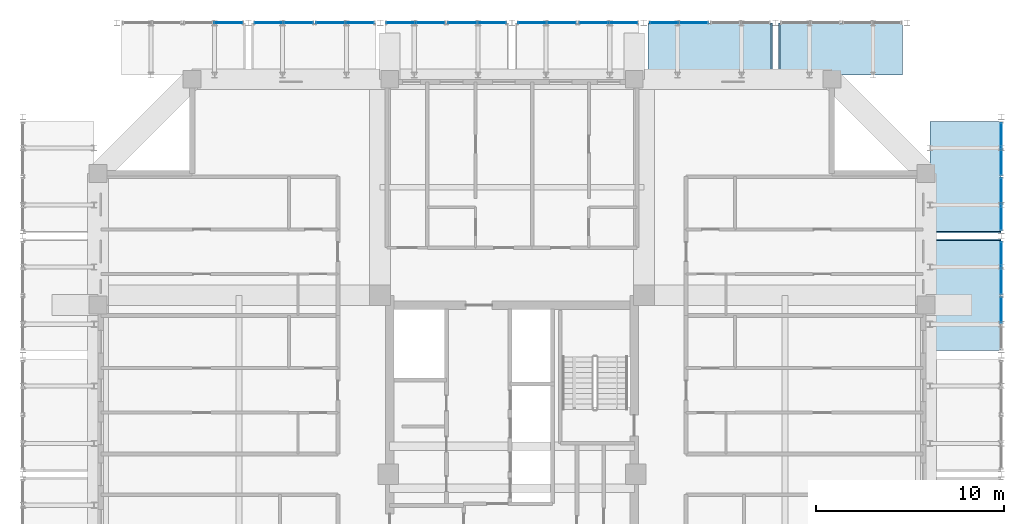
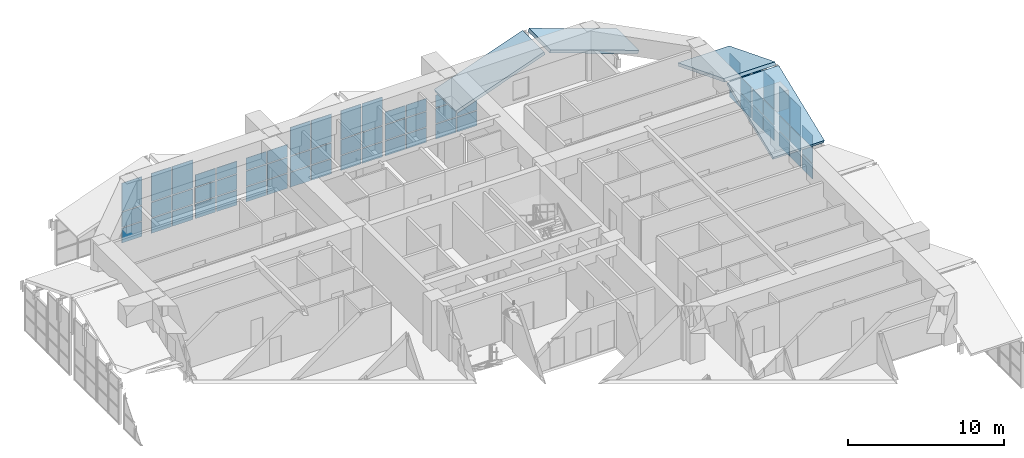
# One storey, part 35 of 45: 65 plates, 4 slabs, 12 elements without a shape of their own.
"""IFC4 building model written with IfcOpenShell, lengths in metres."""

from ifc_helpers import new_model, si_unit, direction, frame, origin, origin_2d, place, context, subcontext, project, spatial, polyline, rectangle, outline, extrude, source, transform, mapped, material, layer, layer_set, type_object, element, aggregate, save


model = new_model("IFC4")

# Units and contexts
model_context = context("Model", 3, precision=1e-05, world=origin(), true_north=direction((0.0, 1.0)))
body_context = subcontext(model_context, "Body", "Model", "MODEL_VIEW")
ifc_project = project(units=[si_unit("LENGTHUNIT", "METRE"), si_unit("AREAUNIT", "SQUARE_METRE"), si_unit("VOLUMEUNIT", "CUBIC_METRE"), si_unit("PLANEANGLEUNIT", "RADIAN"), si_unit("MASSUNIT", "GRAM", prefix="KILO")], contexts=[model_context])

# Site, building, storey
site_placement = place(None, origin())
site = spatial("IfcSite", under=ifc_project, at=site_placement, CompositionType="ELEMENT")
building_placement = place(site_placement, origin())
building = spatial("IfcBuilding", under=site, at=building_placement, Name="Saelheon Loggia Tower", CompositionType="ELEMENT")
storey_placement = place(building_placement, frame((0.0, 0.0, 152.199951171875)))
storey = spatial("IfcBuildingStorey", under=building, at=storey_placement, Name="L48", CompositionType="ELEMENT", Elevation=152.199951171875)

# Slabs
ifc_material_1 = material(Name="Precast Concrete C45/55", Category="concrete")
ifc_layer_1 = layer(ifc_material_1, 0.239990234375)
ifc_layer_set_1 = layer_set([ifc_layer_1], Name="Precast Concrete C45/55")
slab_type = type_object("IfcSlabType", Name="Slab_WaveRoof_240", PredefinedType="ROOF", material=ifc_layer_set_1)
slab_1_placement = place(storey_placement, frame((60.219970703125, 33.5732421875, 0.544677734375), z_axis=(0.0, -0.36719303315, 0.930144760995), x_axis=(1.0, 0.0, 0.0)))
element("IfcSlab", 1, at=slab_1_placement, inside=storey, type_object=slab_type, Name="Tier 1 Wave Crest Roof Facet E 05", PredefinedType="ROOF", context=body_context, shape_type="SweptSolid", body=[
    extrude(outline(polyline([(0.0, 0.0), (3.780029296875, 0.0), (3.780029296875, 6.293123253998158), (0.0, 6.293123253998158), (0.0, 0.0)])), origin(), (0.0, 0.0, -1.0), 0.239990234375),
])
slab_2_placement = place(storey_placement, frame((60.219970703125, 39.90673828125, 2.85546875), z_axis=(0.0, 0.36720628368, 0.930139529977), x_axis=(1.0, 0.0, 0.0)))
element("IfcSlab", 2, at=slab_2_placement, inside=storey, type_object=slab_type, Name="Tier 1 Wave Crest Roof Facet E 06", PredefinedType="ROOF", context=body_context, shape_type="SweptSolid", body=[
    extrude(outline(polyline([(0.0, 0.0), (3.780029296875, 0.0), (3.780029296875, 6.292896168513408), (0.0, 6.292896168513408), (0.0, 0.0)])), origin(), (0.0, 0.0, -1.0), 0.239990234375),
])
for number, where, z_axis, x_axis, name in (
    (3, (45.239990234375, 48.219970703125, 0.53564453125), (-0.336340864736, 0.0, 0.941740315962), (0.0, 1.0, 0.0), "Tier 1 Wave Crest Roof Facet N 05"),
    (4, (52.239990234375, 48.219970703125, 2.8642578125), (0.336340864736, 0.0, 0.941740315962), (0.0, 1.0, 0.0), "Tier 1 Wave Crest Roof Facet N 06"),
):
    element("IfcSlab", number, at=place(storey_placement, frame(where, z_axis=z_axis, x_axis=x_axis)), inside=storey, type_object=slab_type, Name=name, PredefinedType="ROOF", context=body_context, shape_type="SweptSolid", body=[
        extrude(outline(polyline([(0.0, 0.0), (2.780029296875, 0.0), (2.780029296875, -6.923373058090642), (0.0, -6.923373058090642), (0.0, 0.0)])), origin(), (0.0, 0.0, -1.0), 0.239990234375),
    ])

# Curtain wall, plate
ifc_material_2 = material(Name="Bronze-Anodised Aluminium and Fritted Ceramic Screen", Category="aluminium")
ifc_layer_2 = layer(ifc_material_2, 0.219970703125)
ifc_layer_set_2 = layer_set([ifc_layer_2], Name="Bronze-Anodised Aluminium and Fritted Ceramic Screen")
curtain_wall_type = type_object("IfcCurtainWallType", Name="CW_CrownScreen", PredefinedType="NOTDEFINED", material=ifc_layer_set_2)
curtain_wall_1_placement = place(storey_placement, origin())
curtain_wall_1 = element("IfcCurtainWall", 5, at=curtain_wall_1_placement, inside=storey, type_object=curtain_wall_type, Name="Tier 1 Wave Crest Glazing E 05-1", PredefinedType="NOTDEFINED")
ifc_material_3 = material(Name="Bronze Ceramic Fritted Spandrel Panel", Category="aluminium")
ifc_layer_3 = layer(ifc_material_3, 0.0380859375)
ifc_layer_set_3 = layer_set([ifc_layer_3], Name="Bronze Ceramic Fritted Spandrel Panel")
plate_type = type_object("IfcPlateType", Name="CW_CrownScreen_Panel", PredefinedType="CURTAIN_PANEL", material=ifc_layer_set_3)
shared_shape_1 = source(origin(), body_context, "Body", "SweptSolid", [
    extrude(rectangle(XDim=1.328369140625, YDim=0.0380859375, at=origin_2d()), origin(), (0.0, 0.0, 1.0), 1.14501953125),
])
plate_1_placement = place(storey_placement, frame((64.0, 35.73583984375, -3.3798828125), z_axis=(0.0, 0.0, 1.0), x_axis=(0.0, 1.0, 0.0)))
plate_1 = element("IfcPlate", 6, at=plate_1_placement, type_object=plate_type, Name="CW6 panel 2.1", PredefinedType="CURTAIN_PANEL", context=body_context, shape_type="MappedRepresentation", body=[
    mapped(shared_shape_1, transform((0.0, 0.0, 0.0), scale=1.0)),
])

# Curtain wall, plates
curtain_wall_2_placement = place(storey_placement, origin())
curtain_wall_2 = element("IfcCurtainWall", 7, at=curtain_wall_2_placement, inside=storey, type_object=curtain_wall_type, Name="Tier 1 Wave Crest Glazing E 05-2", PredefinedType="NOTDEFINED")
plate_2_placement = place(storey_placement, frame((64.0, 37.26416015625, -3.3798828125), z_axis=(0.0, 0.0, 1.0), x_axis=(0.0, 1.0, 0.0)))
plate_2 = element("IfcPlate", 8, at=plate_2_placement, type_object=plate_type, Name="CW6 panel 1.1", PredefinedType="CURTAIN_PANEL", context=body_context, shape_type="MappedRepresentation", body=[
    mapped(shared_shape_1, transform((0.0, 0.0, 0.0), scale=1.0)),
])
plate_3_placement = place(storey_placement, frame((64.0, 38.66259765625, -3.3798828125), z_axis=(0.0, 0.0, 1.0), x_axis=(0.0, 1.0, 0.0)))
plate_3 = element("IfcPlate", 9, at=plate_3_placement, type_object=plate_type, Name="CW6 panel 2.1", PredefinedType="CURTAIN_PANEL", context=body_context, shape_type="MappedRepresentation", body=[
    mapped(shared_shape_1, transform((0.0, 0.0, 0.0), scale=1.0)),
])

curtain_wall_3_placement = place(storey_placement, origin())
curtain_wall_3 = element("IfcCurtainWall", 10, at=curtain_wall_3_placement, inside=storey, type_object=curtain_wall_type, Name="Tier 1 Wave Crest Glazing E 06-1", PredefinedType="NOTDEFINED")
plate_4_placement = place(storey_placement, frame((64.0, 40.6708984375, -3.3798828125), z_axis=(0.0, 0.0, 1.0), x_axis=(0.0, 1.0, 0.0)))
plate_4 = element("IfcPlate", 11, at=plate_4_placement, type_object=plate_type, Name="CW6 panel 1.1", PredefinedType="CURTAIN_PANEL", context=body_context, shape_type="MappedRepresentation", body=[
    mapped(shared_shape_1, transform((0.0, 0.0, 0.0), scale=1.0)),
])
plate_5_placement = place(storey_placement, frame((64.0, 42.069091796875, -3.3798828125), z_axis=(0.0, 0.0, 1.0), x_axis=(0.0, 1.0, 0.0)))
plate_5 = element("IfcPlate", 12, at=plate_5_placement, type_object=plate_type, Name="CW6 panel 2.1", PredefinedType="CURTAIN_PANEL", context=body_context, shape_type="MappedRepresentation", body=[
    mapped(shared_shape_1, transform((0.0, 0.0, 0.0), scale=1.0)),
])

curtain_wall_4_placement = place(storey_placement, origin())
curtain_wall_4 = element("IfcCurtainWall", 13, at=curtain_wall_4_placement, inside=storey, type_object=curtain_wall_type, Name="Tier 1 Wave Crest Glazing E 06-2", PredefinedType="NOTDEFINED")
plate_6_placement = place(storey_placement, frame((64.0, 43.597412109375, -3.3798828125), z_axis=(0.0, 0.0, 1.0), x_axis=(0.0, 1.0, 0.0)))
plate_6 = element("IfcPlate", 14, at=plate_6_placement, type_object=plate_type, Name="CW6 panel 1.1", PredefinedType="CURTAIN_PANEL", context=body_context, shape_type="MappedRepresentation", body=[
    mapped(shared_shape_1, transform((0.0, 0.0, 0.0), scale=1.0)),
])
plate_7_placement = place(storey_placement, frame((64.0, 44.995849609375, -3.3798828125), z_axis=(0.0, 0.0, 1.0), x_axis=(0.0, 1.0, 0.0)))
plate_7 = element("IfcPlate", 15, at=plate_7_placement, type_object=plate_type, Name="CW6 panel 2.1", PredefinedType="CURTAIN_PANEL", context=body_context, shape_type="MappedRepresentation", body=[
    mapped(shared_shape_1, transform((0.0, 0.0, 0.0), scale=1.0)),
])

# Plate
shared_shape_2 = source(origin(), body_context, "Body", "SweptSolid", [
    extrude(rectangle(XDim=1.328369140625, YDim=0.0380859375, at=origin_2d()), origin(), (0.0, 0.0, 1.0), 1.179931640625),
])
plate_8_placement = place(storey_placement, frame((64.0, 35.73583984375, -2.1650390625), z_axis=(0.0, 0.0, 1.0), x_axis=(0.0, 1.0, 0.0)))
plate_8 = element("IfcPlate", 16, at=plate_8_placement, type_object=plate_type, Name="CW6 panel 2.2", PredefinedType="CURTAIN_PANEL", context=body_context, shape_type="MappedRepresentation", body=[
    mapped(shared_shape_2, transform((0.0, 0.0, 0.0), scale=1.0)),
])

plate_9_placement = place(storey_placement, frame((64.0, 37.26416015625, -2.1650390625), z_axis=(0.0, 0.0, 1.0), x_axis=(0.0, 1.0, 0.0)))
plate_9 = element("IfcPlate", 17, at=plate_9_placement, type_object=plate_type, Name="CW6 panel 1.2", PredefinedType="CURTAIN_PANEL", context=body_context, shape_type="MappedRepresentation", body=[
    mapped(shared_shape_2, transform((0.0, 0.0, 0.0), scale=1.0)),
])

plate_10_placement = place(storey_placement, frame((64.0, 38.66259765625, -2.1650390625), z_axis=(0.0, 0.0, 1.0), x_axis=(0.0, 1.0, 0.0)))
plate_10 = element("IfcPlate", 18, at=plate_10_placement, type_object=plate_type, Name="CW6 panel 2.2", PredefinedType="CURTAIN_PANEL", context=body_context, shape_type="MappedRepresentation", body=[
    mapped(shared_shape_2, transform((0.0, 0.0, 0.0), scale=1.0)),
])

plate_11_placement = place(storey_placement, frame((64.0, 40.6708984375, -2.1650390625), z_axis=(0.0, 0.0, 1.0), x_axis=(0.0, 1.0, 0.0)))
plate_11 = element("IfcPlate", 19, at=plate_11_placement, type_object=plate_type, Name="CW6 panel 1.2", PredefinedType="CURTAIN_PANEL", context=body_context, shape_type="MappedRepresentation", body=[
    mapped(shared_shape_2, transform((0.0, 0.0, 0.0), scale=1.0)),
])

plate_12_placement = place(storey_placement, frame((64.0, 42.069091796875, -2.1650390625), z_axis=(0.0, 0.0, 1.0), x_axis=(0.0, 1.0, 0.0)))
plate_12 = element("IfcPlate", 20, at=plate_12_placement, type_object=plate_type, Name="CW6 panel 2.2", PredefinedType="CURTAIN_PANEL", context=body_context, shape_type="MappedRepresentation", body=[
    mapped(shared_shape_2, transform((0.0, 0.0, 0.0), scale=1.0)),
])

plate_13_placement = place(storey_placement, frame((64.0, 43.597412109375, -2.1650390625), z_axis=(0.0, 0.0, 1.0), x_axis=(0.0, 1.0, 0.0)))
plate_13 = element("IfcPlate", 21, at=plate_13_placement, type_object=plate_type, Name="CW6 panel 1.2", PredefinedType="CURTAIN_PANEL", context=body_context, shape_type="MappedRepresentation", body=[
    mapped(shared_shape_2, transform((0.0, 0.0, 0.0), scale=1.0)),
])

plate_14_placement = place(storey_placement, frame((64.0, 44.995849609375, -2.1650390625), z_axis=(0.0, 0.0, 1.0), x_axis=(0.0, 1.0, 0.0)))
plate_14 = element("IfcPlate", 22, at=plate_14_placement, type_object=plate_type, Name="CW6 panel 2.2", PredefinedType="CURTAIN_PANEL", context=body_context, shape_type="MappedRepresentation", body=[
    mapped(shared_shape_2, transform((0.0, 0.0, 0.0), scale=1.0)),
])

shared_shape_3 = source(origin(), body_context, "Body", "SweptSolid", [
    extrude(rectangle(XDim=1.328369140625, YDim=0.0380859375, at=origin_2d()), origin(), (0.0, 0.0, 1.0), 0.955078125),
])
plate_15_placement = place(storey_placement, frame((64.0, 35.73583984375, -0.9150390625), z_axis=(0.0, 0.0, 1.0), x_axis=(0.0, 1.0, 0.0)))
plate_15 = element("IfcPlate", 23, at=plate_15_placement, type_object=plate_type, Name="CW6 panel 2.3", PredefinedType="CURTAIN_PANEL", context=body_context, shape_type="MappedRepresentation", body=[
    mapped(shared_shape_3, transform((0.0, 0.0, 0.0), scale=1.0)),
])

aggregate(curtain_wall_1, [plate_1, plate_8, plate_15])

plate_16_placement = place(storey_placement, frame((64.0, 43.597412109375, -0.9150390625), z_axis=(0.0, 0.0, 1.0), x_axis=(0.0, 1.0, 0.0)))
plate_16 = element("IfcPlate", 24, at=plate_16_placement, type_object=plate_type, Name="CW6 panel 1.3", PredefinedType="CURTAIN_PANEL", context=body_context, shape_type="MappedRepresentation", body=[
    mapped(shared_shape_3, transform((0.0, 0.0, 0.0), scale=1.0)),
])

plate_17_placement = place(storey_placement, frame((64.0, 44.995849609375, -0.9150390625), z_axis=(0.0, 0.0, 1.0), x_axis=(0.0, 1.0, 0.0)))
plate_17 = element("IfcPlate", 25, at=plate_17_placement, type_object=plate_type, Name="CW6 panel 2.3", PredefinedType="CURTAIN_PANEL", context=body_context, shape_type="MappedRepresentation", body=[
    mapped(shared_shape_3, transform((0.0, 0.0, 0.0), scale=1.0)),
])

aggregate(curtain_wall_4, [plate_6, plate_13, plate_16, plate_7, plate_14, plate_17])

shared_shape_4 = source(origin(), body_context, "Body", "SweptSolid", [
    extrude(rectangle(XDim=1.328369140625, YDim=0.0380859375, at=origin_2d()), origin(), (0.0, 0.0, 1.0), 2.205078125),
])
plate_18_placement = place(storey_placement, frame((64.0, 37.26416015625, -0.9150390625), z_axis=(0.0, 0.0, 1.0), x_axis=(0.0, 1.0, 0.0)))
plate_18 = element("IfcPlate", 26, at=plate_18_placement, type_object=plate_type, Name="CW6 panel 1.3", PredefinedType="CURTAIN_PANEL", context=body_context, shape_type="MappedRepresentation", body=[
    mapped(shared_shape_4, transform((0.0, 0.0, 0.0), scale=1.0)),
])

plate_19_placement = place(storey_placement, frame((64.0, 38.66259765625, -0.9150390625), z_axis=(0.0, 0.0, 1.0), x_axis=(0.0, 1.0, 0.0)))
plate_19 = element("IfcPlate", 27, at=plate_19_placement, type_object=plate_type, Name="CW6 panel 2.3", PredefinedType="CURTAIN_PANEL", context=body_context, shape_type="MappedRepresentation", body=[
    mapped(shared_shape_4, transform((0.0, 0.0, 0.0), scale=1.0)),
])

aggregate(curtain_wall_2, [plate_2, plate_9, plate_18, plate_3, plate_10, plate_19])

plate_20_placement = place(storey_placement, frame((64.0, 40.6708984375, -0.9150390625), z_axis=(0.0, 0.0, 1.0), x_axis=(0.0, 1.0, 0.0)))
plate_20 = element("IfcPlate", 28, at=plate_20_placement, type_object=plate_type, Name="CW6 panel 1.3", PredefinedType="CURTAIN_PANEL", context=body_context, shape_type="MappedRepresentation", body=[
    mapped(shared_shape_4, transform((0.0, 0.0, 0.0), scale=1.0)),
])

plate_21_placement = place(storey_placement, frame((64.0, 42.069091796875, -0.9150390625), z_axis=(0.0, 0.0, 1.0), x_axis=(0.0, 1.0, 0.0)))
plate_21 = element("IfcPlate", 29, at=plate_21_placement, type_object=plate_type, Name="CW6 panel 2.3", PredefinedType="CURTAIN_PANEL", context=body_context, shape_type="MappedRepresentation", body=[
    mapped(shared_shape_4, transform((0.0, 0.0, 0.0), scale=1.0)),
])

aggregate(curtain_wall_3, [plate_4, plate_11, plate_20, plate_5, plate_12, plate_21])

# Curtain wall, plate
curtain_wall_5_placement = place(storey_placement, origin())
curtain_wall_5 = element("IfcCurtainWall", 30, at=curtain_wall_5_placement, inside=storey, type_object=curtain_wall_type, Name="Tier 1 Wave Crest Glazing N 01-2", PredefinedType="NOTDEFINED")
shared_shape_5 = source(origin(), body_context, "Body", "SweptSolid", [
    extrude(rectangle(XDim=1.4951171875, YDim=0.0380859375, at=origin_2d()), origin(), (0.0, 0.0, 1.0), 1.14501953125),
])
plate_22_placement = place(storey_placement, frame((22.91259765625, 51.0, -3.3798828125), z_axis=(0.0, 0.0, 1.0), x_axis=(1.0, 0.0, 0.0)))
plate_22 = element("IfcPlate", 31, at=plate_22_placement, type_object=plate_type, Name="CW6 panel 2.1", PredefinedType="CURTAIN_PANEL", context=body_context, shape_type="MappedRepresentation", body=[
    mapped(shared_shape_5, transform((0.0, 0.0, 0.0), scale=1.0)),
])

# Curtain wall, plates
curtain_wall_6_placement = place(storey_placement, origin())
curtain_wall_6 = element("IfcCurtainWall", 32, at=curtain_wall_6_placement, inside=storey, type_object=curtain_wall_type, Name="Tier 1 Wave Crest Glazing N 02-1", PredefinedType="NOTDEFINED")
plate_23_placement = place(storey_placement, frame((25.08740234375, 51.0, -3.3798828125), z_axis=(0.0, 0.0, 1.0), x_axis=(1.0, 0.0, 0.0)))
plate_23 = element("IfcPlate", 33, at=plate_23_placement, type_object=plate_type, Name="CW6 panel 1.1", PredefinedType="CURTAIN_PANEL", context=body_context, shape_type="MappedRepresentation", body=[
    mapped(shared_shape_5, transform((0.0, 0.0, 0.0), scale=1.0)),
])
plate_24_placement = place(storey_placement, frame((26.652587890625, 51.0, -3.3798828125), z_axis=(0.0, 0.0, 1.0), x_axis=(1.0, 0.0, 0.0)))
plate_24 = element("IfcPlate", 34, at=plate_24_placement, type_object=plate_type, Name="CW6 panel 2.1", PredefinedType="CURTAIN_PANEL", context=body_context, shape_type="MappedRepresentation", body=[
    mapped(shared_shape_5, transform((0.0, 0.0, 0.0), scale=1.0)),
])

curtain_wall_7_placement = place(storey_placement, origin())
curtain_wall_7 = element("IfcCurtainWall", 35, at=curtain_wall_7_placement, inside=storey, type_object=curtain_wall_type, Name="Tier 1 Wave Crest Glazing N 02-2", PredefinedType="NOTDEFINED")
plate_25_placement = place(storey_placement, frame((28.347412109375, 51.0, -3.3798828125), z_axis=(0.0, 0.0, 1.0), x_axis=(1.0, 0.0, 0.0)))
plate_25 = element("IfcPlate", 36, at=plate_25_placement, type_object=plate_type, Name="CW6 panel 1.1", PredefinedType="CURTAIN_PANEL", context=body_context, shape_type="MappedRepresentation", body=[
    mapped(shared_shape_5, transform((0.0, 0.0, 0.0), scale=1.0)),
])
plate_26_placement = place(storey_placement, frame((29.91259765625, 51.0, -3.3798828125), z_axis=(0.0, 0.0, 1.0), x_axis=(1.0, 0.0, 0.0)))
plate_26 = element("IfcPlate", 37, at=plate_26_placement, type_object=plate_type, Name="CW6 panel 2.1", PredefinedType="CURTAIN_PANEL", context=body_context, shape_type="MappedRepresentation", body=[
    mapped(shared_shape_5, transform((0.0, 0.0, 0.0), scale=1.0)),
])

curtain_wall_8_placement = place(storey_placement, origin())
curtain_wall_8 = element("IfcCurtainWall", 38, at=curtain_wall_8_placement, inside=storey, type_object=curtain_wall_type, Name="Tier 1 Wave Crest Glazing N 03-1", PredefinedType="NOTDEFINED")
plate_27_placement = place(storey_placement, frame((32.08740234375, 51.0, -3.3798828125), z_axis=(0.0, 0.0, 1.0), x_axis=(1.0, 0.0, 0.0)))
plate_27 = element("IfcPlate", 39, at=plate_27_placement, type_object=plate_type, Name="CW6 panel 1.1", PredefinedType="CURTAIN_PANEL", context=body_context, shape_type="MappedRepresentation", body=[
    mapped(shared_shape_5, transform((0.0, 0.0, 0.0), scale=1.0)),
])
plate_28_placement = place(storey_placement, frame((33.652587890625, 51.0, -3.3798828125), z_axis=(0.0, 0.0, 1.0), x_axis=(1.0, 0.0, 0.0)))
plate_28 = element("IfcPlate", 40, at=plate_28_placement, type_object=plate_type, Name="CW6 panel 2.1", PredefinedType="CURTAIN_PANEL", context=body_context, shape_type="MappedRepresentation", body=[
    mapped(shared_shape_5, transform((0.0, 0.0, 0.0), scale=1.0)),
])

curtain_wall_9_placement = place(storey_placement, origin())
curtain_wall_9 = element("IfcCurtainWall", 41, at=curtain_wall_9_placement, inside=storey, type_object=curtain_wall_type, Name="Tier 1 Wave Crest Glazing N 03-2", PredefinedType="NOTDEFINED")
plate_29_placement = place(storey_placement, frame((35.347412109375, 51.0, -3.3798828125), z_axis=(0.0, 0.0, 1.0), x_axis=(1.0, 0.0, 0.0)))
plate_29 = element("IfcPlate", 42, at=plate_29_placement, type_object=plate_type, Name="CW6 panel 1.1", PredefinedType="CURTAIN_PANEL", context=body_context, shape_type="MappedRepresentation", body=[
    mapped(shared_shape_5, transform((0.0, 0.0, 0.0), scale=1.0)),
])
plate_30_placement = place(storey_placement, frame((36.91259765625, 51.0, -3.3798828125), z_axis=(0.0, 0.0, 1.0), x_axis=(1.0, 0.0, 0.0)))
plate_30 = element("IfcPlate", 43, at=plate_30_placement, type_object=plate_type, Name="CW6 panel 2.1", PredefinedType="CURTAIN_PANEL", context=body_context, shape_type="MappedRepresentation", body=[
    mapped(shared_shape_5, transform((0.0, 0.0, 0.0), scale=1.0)),
])

curtain_wall_10_placement = place(storey_placement, origin())
curtain_wall_10 = element("IfcCurtainWall", 44, at=curtain_wall_10_placement, inside=storey, type_object=curtain_wall_type, Name="Tier 1 Wave Crest Glazing N 04-1", PredefinedType="NOTDEFINED")
plate_31_placement = place(storey_placement, frame((39.08740234375, 51.0, -3.3798828125), z_axis=(0.0, 0.0, 1.0), x_axis=(1.0, 0.0, 0.0)))
plate_31 = element("IfcPlate", 45, at=plate_31_placement, type_object=plate_type, Name="CW6 panel 1.1", PredefinedType="CURTAIN_PANEL", context=body_context, shape_type="MappedRepresentation", body=[
    mapped(shared_shape_5, transform((0.0, 0.0, 0.0), scale=1.0)),
])
plate_32_placement = place(storey_placement, frame((40.652587890625, 51.0, -3.3798828125), z_axis=(0.0, 0.0, 1.0), x_axis=(1.0, 0.0, 0.0)))
plate_32 = element("IfcPlate", 46, at=plate_32_placement, type_object=plate_type, Name="CW6 panel 2.1", PredefinedType="CURTAIN_PANEL", context=body_context, shape_type="MappedRepresentation", body=[
    mapped(shared_shape_5, transform((0.0, 0.0, 0.0), scale=1.0)),
])

curtain_wall_11_placement = place(storey_placement, origin())
curtain_wall_11 = element("IfcCurtainWall", 47, at=curtain_wall_11_placement, inside=storey, type_object=curtain_wall_type, Name="Tier 1 Wave Crest Glazing N 04-2", PredefinedType="NOTDEFINED")
plate_33_placement = place(storey_placement, frame((42.347412109375, 51.0, -3.3798828125), z_axis=(0.0, 0.0, 1.0), x_axis=(1.0, 0.0, 0.0)))
plate_33 = element("IfcPlate", 48, at=plate_33_placement, type_object=plate_type, Name="CW6 panel 1.1", PredefinedType="CURTAIN_PANEL", context=body_context, shape_type="MappedRepresentation", body=[
    mapped(shared_shape_5, transform((0.0, 0.0, 0.0), scale=1.0)),
])
plate_34_placement = place(storey_placement, frame((43.91259765625, 51.0, -3.3798828125), z_axis=(0.0, 0.0, 1.0), x_axis=(1.0, 0.0, 0.0)))
plate_34 = element("IfcPlate", 49, at=plate_34_placement, type_object=plate_type, Name="CW6 panel 2.1", PredefinedType="CURTAIN_PANEL", context=body_context, shape_type="MappedRepresentation", body=[
    mapped(shared_shape_5, transform((0.0, 0.0, 0.0), scale=1.0)),
])

curtain_wall_12_placement = place(storey_placement, origin())
curtain_wall_12 = element("IfcCurtainWall", 50, at=curtain_wall_12_placement, inside=storey, type_object=curtain_wall_type, Name="Tier 1 Wave Crest Glazing N 05-1", PredefinedType="NOTDEFINED")
plate_35_placement = place(storey_placement, frame((46.08740234375, 51.0, -3.3798828125), z_axis=(0.0, 0.0, 1.0), x_axis=(1.0, 0.0, 0.0)))
plate_35 = element("IfcPlate", 51, at=plate_35_placement, type_object=plate_type, Name="CW6 panel 1.1", PredefinedType="CURTAIN_PANEL", context=body_context, shape_type="MappedRepresentation", body=[
    mapped(shared_shape_5, transform((0.0, 0.0, 0.0), scale=1.0)),
])
plate_36_placement = place(storey_placement, frame((47.652587890625, 51.0, -3.3798828125), z_axis=(0.0, 0.0, 1.0), x_axis=(1.0, 0.0, 0.0)))
plate_36 = element("IfcPlate", 52, at=plate_36_placement, type_object=plate_type, Name="CW6 panel 2.1", PredefinedType="CURTAIN_PANEL", context=body_context, shape_type="MappedRepresentation", body=[
    mapped(shared_shape_5, transform((0.0, 0.0, 0.0), scale=1.0)),
])

# Plate
shared_shape_6 = source(origin(), body_context, "Body", "SweptSolid", [
    extrude(rectangle(XDim=1.4951171875, YDim=0.0380859375, at=origin_2d()), origin(), (0.0, 0.0, 1.0), 1.179931640625),
])
plate_37_placement = place(storey_placement, frame((22.91259765625, 51.0, -2.1650390625), z_axis=(0.0, 0.0, 1.0), x_axis=(1.0, 0.0, 0.0)))
plate_37 = element("IfcPlate", 53, at=plate_37_placement, type_object=plate_type, Name="CW6 panel 2.2", PredefinedType="CURTAIN_PANEL", context=body_context, shape_type="MappedRepresentation", body=[
    mapped(shared_shape_6, transform((0.0, 0.0, 0.0), scale=1.0)),
])

plate_38_placement = place(storey_placement, frame((25.08740234375, 51.0, -2.1650390625), z_axis=(0.0, 0.0, 1.0), x_axis=(1.0, 0.0, 0.0)))
plate_38 = element("IfcPlate", 54, at=plate_38_placement, type_object=plate_type, Name="CW6 panel 1.2", PredefinedType="CURTAIN_PANEL", context=body_context, shape_type="MappedRepresentation", body=[
    mapped(shared_shape_6, transform((0.0, 0.0, 0.0), scale=1.0)),
])

plate_39_placement = place(storey_placement, frame((26.652587890625, 51.0, -2.1650390625), z_axis=(0.0, 0.0, 1.0), x_axis=(1.0, 0.0, 0.0)))
plate_39 = element("IfcPlate", 55, at=plate_39_placement, type_object=plate_type, Name="CW6 panel 2.2", PredefinedType="CURTAIN_PANEL", context=body_context, shape_type="MappedRepresentation", body=[
    mapped(shared_shape_6, transform((0.0, 0.0, 0.0), scale=1.0)),
])

plate_40_placement = place(storey_placement, frame((28.347412109375, 51.0, -2.1650390625), z_axis=(0.0, 0.0, 1.0), x_axis=(1.0, 0.0, 0.0)))
plate_40 = element("IfcPlate", 56, at=plate_40_placement, type_object=plate_type, Name="CW6 panel 1.2", PredefinedType="CURTAIN_PANEL", context=body_context, shape_type="MappedRepresentation", body=[
    mapped(shared_shape_6, transform((0.0, 0.0, 0.0), scale=1.0)),
])

plate_41_placement = place(storey_placement, frame((29.91259765625, 51.0, -2.1650390625), z_axis=(0.0, 0.0, 1.0), x_axis=(1.0, 0.0, 0.0)))
plate_41 = element("IfcPlate", 57, at=plate_41_placement, type_object=plate_type, Name="CW6 panel 2.2", PredefinedType="CURTAIN_PANEL", context=body_context, shape_type="MappedRepresentation", body=[
    mapped(shared_shape_6, transform((0.0, 0.0, 0.0), scale=1.0)),
])

plate_42_placement = place(storey_placement, frame((32.08740234375, 51.0, -2.1650390625), z_axis=(0.0, 0.0, 1.0), x_axis=(1.0, 0.0, 0.0)))
plate_42 = element("IfcPlate", 58, at=plate_42_placement, type_object=plate_type, Name="CW6 panel 1.2", PredefinedType="CURTAIN_PANEL", context=body_context, shape_type="MappedRepresentation", body=[
    mapped(shared_shape_6, transform((0.0, 0.0, 0.0), scale=1.0)),
])

plate_43_placement = place(storey_placement, frame((33.652587890625, 51.0, -2.1650390625), z_axis=(0.0, 0.0, 1.0), x_axis=(1.0, 0.0, 0.0)))
plate_43 = element("IfcPlate", 59, at=plate_43_placement, type_object=plate_type, Name="CW6 panel 2.2", PredefinedType="CURTAIN_PANEL", context=body_context, shape_type="MappedRepresentation", body=[
    mapped(shared_shape_6, transform((0.0, 0.0, 0.0), scale=1.0)),
])

plate_44_placement = place(storey_placement, frame((35.347412109375, 51.0, -2.1650390625), z_axis=(0.0, 0.0, 1.0), x_axis=(1.0, 0.0, 0.0)))
plate_44 = element("IfcPlate", 60, at=plate_44_placement, type_object=plate_type, Name="CW6 panel 1.2", PredefinedType="CURTAIN_PANEL", context=body_context, shape_type="MappedRepresentation", body=[
    mapped(shared_shape_6, transform((0.0, 0.0, 0.0), scale=1.0)),
])

plate_45_placement = place(storey_placement, frame((36.91259765625, 51.0, -2.1650390625), z_axis=(0.0, 0.0, 1.0), x_axis=(1.0, 0.0, 0.0)))
plate_45 = element("IfcPlate", 61, at=plate_45_placement, type_object=plate_type, Name="CW6 panel 2.2", PredefinedType="CURTAIN_PANEL", context=body_context, shape_type="MappedRepresentation", body=[
    mapped(shared_shape_6, transform((0.0, 0.0, 0.0), scale=1.0)),
])

plate_46_placement = place(storey_placement, frame((39.08740234375, 51.0, -2.1650390625), z_axis=(0.0, 0.0, 1.0), x_axis=(1.0, 0.0, 0.0)))
plate_46 = element("IfcPlate", 62, at=plate_46_placement, type_object=plate_type, Name="CW6 panel 1.2", PredefinedType="CURTAIN_PANEL", context=body_context, shape_type="MappedRepresentation", body=[
    mapped(shared_shape_6, transform((0.0, 0.0, 0.0), scale=1.0)),
])

plate_47_placement = place(storey_placement, frame((40.652587890625, 51.0, -2.1650390625), z_axis=(0.0, 0.0, 1.0), x_axis=(1.0, 0.0, 0.0)))
plate_47 = element("IfcPlate", 63, at=plate_47_placement, type_object=plate_type, Name="CW6 panel 2.2", PredefinedType="CURTAIN_PANEL", context=body_context, shape_type="MappedRepresentation", body=[
    mapped(shared_shape_6, transform((0.0, 0.0, 0.0), scale=1.0)),
])

plate_48_placement = place(storey_placement, frame((42.347412109375, 51.0, -2.1650390625), z_axis=(0.0, 0.0, 1.0), x_axis=(1.0, 0.0, 0.0)))
plate_48 = element("IfcPlate", 64, at=plate_48_placement, type_object=plate_type, Name="CW6 panel 1.2", PredefinedType="CURTAIN_PANEL", context=body_context, shape_type="MappedRepresentation", body=[
    mapped(shared_shape_6, transform((0.0, 0.0, 0.0), scale=1.0)),
])

plate_49_placement = place(storey_placement, frame((43.91259765625, 51.0, -2.1650390625), z_axis=(0.0, 0.0, 1.0), x_axis=(1.0, 0.0, 0.0)))
plate_49 = element("IfcPlate", 65, at=plate_49_placement, type_object=plate_type, Name="CW6 panel 2.2", PredefinedType="CURTAIN_PANEL", context=body_context, shape_type="MappedRepresentation", body=[
    mapped(shared_shape_6, transform((0.0, 0.0, 0.0), scale=1.0)),
])

plate_50_placement = place(storey_placement, frame((46.08740234375, 51.0, -2.1650390625), z_axis=(0.0, 0.0, 1.0), x_axis=(1.0, 0.0, 0.0)))
plate_50 = element("IfcPlate", 66, at=plate_50_placement, type_object=plate_type, Name="CW6 panel 1.2", PredefinedType="CURTAIN_PANEL", context=body_context, shape_type="MappedRepresentation", body=[
    mapped(shared_shape_6, transform((0.0, 0.0, 0.0), scale=1.0)),
])

plate_51_placement = place(storey_placement, frame((47.652587890625, 51.0, -2.1650390625), z_axis=(0.0, 0.0, 1.0), x_axis=(1.0, 0.0, 0.0)))
plate_51 = element("IfcPlate", 67, at=plate_51_placement, type_object=plate_type, Name="CW6 panel 2.2", PredefinedType="CURTAIN_PANEL", context=body_context, shape_type="MappedRepresentation", body=[
    mapped(shared_shape_6, transform((0.0, 0.0, 0.0), scale=1.0)),
])

shared_shape_7 = source(origin(), body_context, "Body", "SweptSolid", [
    extrude(rectangle(XDim=1.4951171875, YDim=0.0380859375, at=origin_2d()), origin(), (0.0, 0.0, 1.0), 0.955078125),
])
plate_52_placement = place(storey_placement, frame((28.347412109375, 51.0, -0.9150390625), z_axis=(0.0, 0.0, 1.0), x_axis=(1.0, 0.0, 0.0)))
plate_52 = element("IfcPlate", 68, at=plate_52_placement, type_object=plate_type, Name="CW6 panel 1.3", PredefinedType="CURTAIN_PANEL", context=body_context, shape_type="MappedRepresentation", body=[
    mapped(shared_shape_7, transform((0.0, 0.0, 0.0), scale=1.0)),
])

plate_53_placement = place(storey_placement, frame((29.91259765625, 51.0, -0.9150390625), z_axis=(0.0, 0.0, 1.0), x_axis=(1.0, 0.0, 0.0)))
plate_53 = element("IfcPlate", 69, at=plate_53_placement, type_object=plate_type, Name="CW6 panel 2.3", PredefinedType="CURTAIN_PANEL", context=body_context, shape_type="MappedRepresentation", body=[
    mapped(shared_shape_7, transform((0.0, 0.0, 0.0), scale=1.0)),
])

aggregate(curtain_wall_7, [plate_25, plate_40, plate_52, plate_26, plate_41, plate_53])

plate_54_placement = place(storey_placement, frame((32.08740234375, 51.0, -0.9150390625), z_axis=(0.0, 0.0, 1.0), x_axis=(1.0, 0.0, 0.0)))
plate_54 = element("IfcPlate", 70, at=plate_54_placement, type_object=plate_type, Name="CW6 panel 1.3", PredefinedType="CURTAIN_PANEL", context=body_context, shape_type="MappedRepresentation", body=[
    mapped(shared_shape_7, transform((0.0, 0.0, 0.0), scale=1.0)),
])

plate_55_placement = place(storey_placement, frame((33.652587890625, 51.0, -0.9150390625), z_axis=(0.0, 0.0, 1.0), x_axis=(1.0, 0.0, 0.0)))
plate_55 = element("IfcPlate", 71, at=plate_55_placement, type_object=plate_type, Name="CW6 panel 2.3", PredefinedType="CURTAIN_PANEL", context=body_context, shape_type="MappedRepresentation", body=[
    mapped(shared_shape_7, transform((0.0, 0.0, 0.0), scale=1.0)),
])

aggregate(curtain_wall_8, [plate_27, plate_42, plate_54, plate_28, plate_43, plate_55])

plate_56_placement = place(storey_placement, frame((42.347412109375, 51.0, -0.9150390625), z_axis=(0.0, 0.0, 1.0), x_axis=(1.0, 0.0, 0.0)))
plate_56 = element("IfcPlate", 72, at=plate_56_placement, type_object=plate_type, Name="CW6 panel 1.3", PredefinedType="CURTAIN_PANEL", context=body_context, shape_type="MappedRepresentation", body=[
    mapped(shared_shape_7, transform((0.0, 0.0, 0.0), scale=1.0)),
])

plate_57_placement = place(storey_placement, frame((43.91259765625, 51.0, -0.9150390625), z_axis=(0.0, 0.0, 1.0), x_axis=(1.0, 0.0, 0.0)))
plate_57 = element("IfcPlate", 73, at=plate_57_placement, type_object=plate_type, Name="CW6 panel 2.3", PredefinedType="CURTAIN_PANEL", context=body_context, shape_type="MappedRepresentation", body=[
    mapped(shared_shape_7, transform((0.0, 0.0, 0.0), scale=1.0)),
])

aggregate(curtain_wall_11, [plate_33, plate_48, plate_56, plate_34, plate_49, plate_57])

plate_58_placement = place(storey_placement, frame((46.08740234375, 51.0, -0.9150390625), z_axis=(0.0, 0.0, 1.0), x_axis=(1.0, 0.0, 0.0)))
plate_58 = element("IfcPlate", 74, at=plate_58_placement, type_object=plate_type, Name="CW6 panel 1.3", PredefinedType="CURTAIN_PANEL", context=body_context, shape_type="MappedRepresentation", body=[
    mapped(shared_shape_7, transform((0.0, 0.0, 0.0), scale=1.0)),
])

aggregate(curtain_wall_12, [plate_35, plate_50, plate_58, plate_36, plate_51])

shared_shape_8 = source(origin(), body_context, "Body", "SweptSolid", [
    extrude(rectangle(XDim=1.4951171875, YDim=0.0380859375, at=origin_2d()), origin(), (0.0, 0.0, 1.0), 2.205078125),
])
plate_59_placement = place(storey_placement, frame((22.91259765625, 51.0, -0.9150390625), z_axis=(0.0, 0.0, 1.0), x_axis=(1.0, 0.0, 0.0)))
plate_59 = element("IfcPlate", 75, at=plate_59_placement, type_object=plate_type, Name="CW6 panel 2.3", PredefinedType="CURTAIN_PANEL", context=body_context, shape_type="MappedRepresentation", body=[
    mapped(shared_shape_8, transform((0.0, 0.0, 0.0), scale=1.0)),
])

aggregate(curtain_wall_5, [plate_22, plate_37, plate_59])

plate_60_placement = place(storey_placement, frame((25.08740234375, 51.0, -0.9150390625), z_axis=(0.0, 0.0, 1.0), x_axis=(1.0, 0.0, 0.0)))
plate_60 = element("IfcPlate", 76, at=plate_60_placement, type_object=plate_type, Name="CW6 panel 1.3", PredefinedType="CURTAIN_PANEL", context=body_context, shape_type="MappedRepresentation", body=[
    mapped(shared_shape_8, transform((0.0, 0.0, 0.0), scale=1.0)),
])

plate_61_placement = place(storey_placement, frame((26.652587890625, 51.0, -0.9150390625), z_axis=(0.0, 0.0, 1.0), x_axis=(1.0, 0.0, 0.0)))
plate_61 = element("IfcPlate", 77, at=plate_61_placement, type_object=plate_type, Name="CW6 panel 2.3", PredefinedType="CURTAIN_PANEL", context=body_context, shape_type="MappedRepresentation", body=[
    mapped(shared_shape_8, transform((0.0, 0.0, 0.0), scale=1.0)),
])

aggregate(curtain_wall_6, [plate_23, plate_38, plate_60, plate_24, plate_39, plate_61])

plate_62_placement = place(storey_placement, frame((35.347412109375, 51.0, -0.9150390625), z_axis=(0.0, 0.0, 1.0), x_axis=(1.0, 0.0, 0.0)))
plate_62 = element("IfcPlate", 78, at=plate_62_placement, type_object=plate_type, Name="CW6 panel 1.3", PredefinedType="CURTAIN_PANEL", context=body_context, shape_type="MappedRepresentation", body=[
    mapped(shared_shape_8, transform((0.0, 0.0, 0.0), scale=1.0)),
])

plate_63_placement = place(storey_placement, frame((36.91259765625, 51.0, -0.9150390625), z_axis=(0.0, 0.0, 1.0), x_axis=(1.0, 0.0, 0.0)))
plate_63 = element("IfcPlate", 79, at=plate_63_placement, type_object=plate_type, Name="CW6 panel 2.3", PredefinedType="CURTAIN_PANEL", context=body_context, shape_type="MappedRepresentation", body=[
    mapped(shared_shape_8, transform((0.0, 0.0, 0.0), scale=1.0)),
])

aggregate(curtain_wall_9, [plate_29, plate_44, plate_62, plate_30, plate_45, plate_63])

plate_64_placement = place(storey_placement, frame((39.08740234375, 51.0, -0.9150390625), z_axis=(0.0, 0.0, 1.0), x_axis=(1.0, 0.0, 0.0)))
plate_64 = element("IfcPlate", 80, at=plate_64_placement, type_object=plate_type, Name="CW6 panel 1.3", PredefinedType="CURTAIN_PANEL", context=body_context, shape_type="MappedRepresentation", body=[
    mapped(shared_shape_8, transform((0.0, 0.0, 0.0), scale=1.0)),
])

plate_65_placement = place(storey_placement, frame((40.652587890625, 51.0, -0.9150390625), z_axis=(0.0, 0.0, 1.0), x_axis=(1.0, 0.0, 0.0)))
plate_65 = element("IfcPlate", 81, at=plate_65_placement, type_object=plate_type, Name="CW6 panel 2.3", PredefinedType="CURTAIN_PANEL", context=body_context, shape_type="MappedRepresentation", body=[
    mapped(shared_shape_8, transform((0.0, 0.0, 0.0), scale=1.0)),
])

aggregate(curtain_wall_10, [plate_31, plate_46, plate_64, plate_32, plate_47, plate_65])

save(model, "model.ifc")
